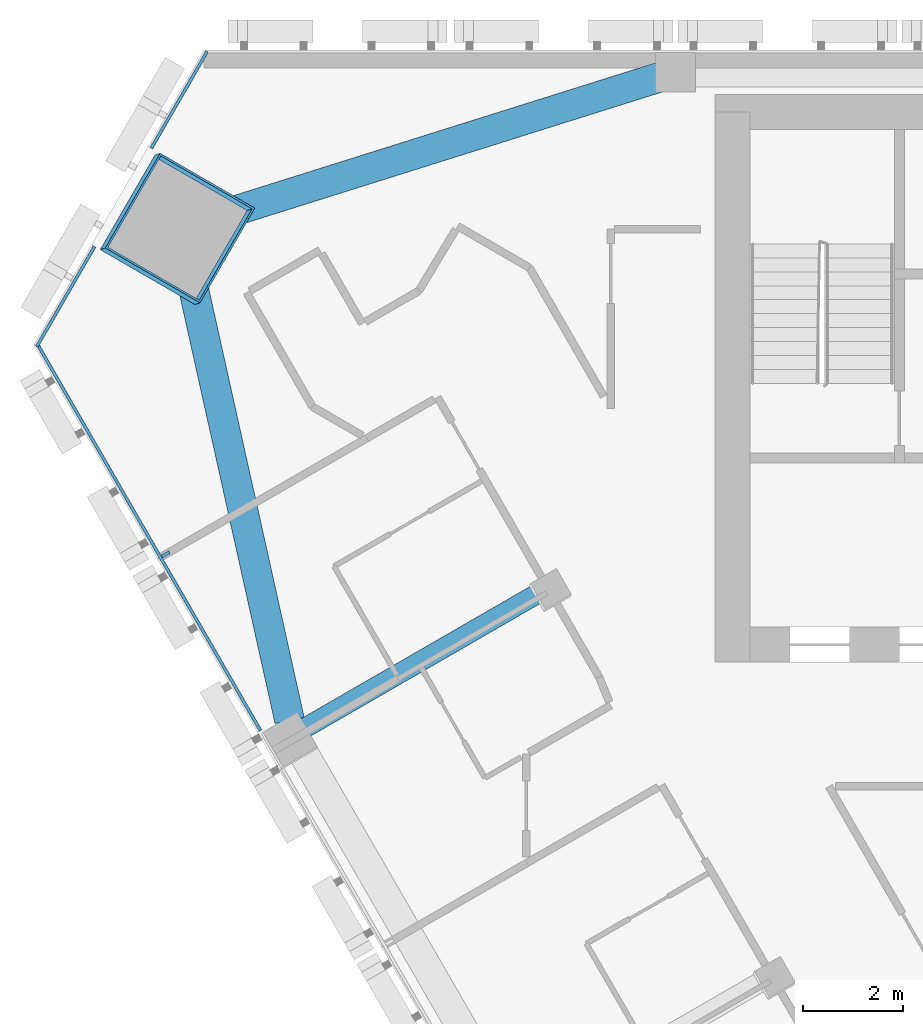
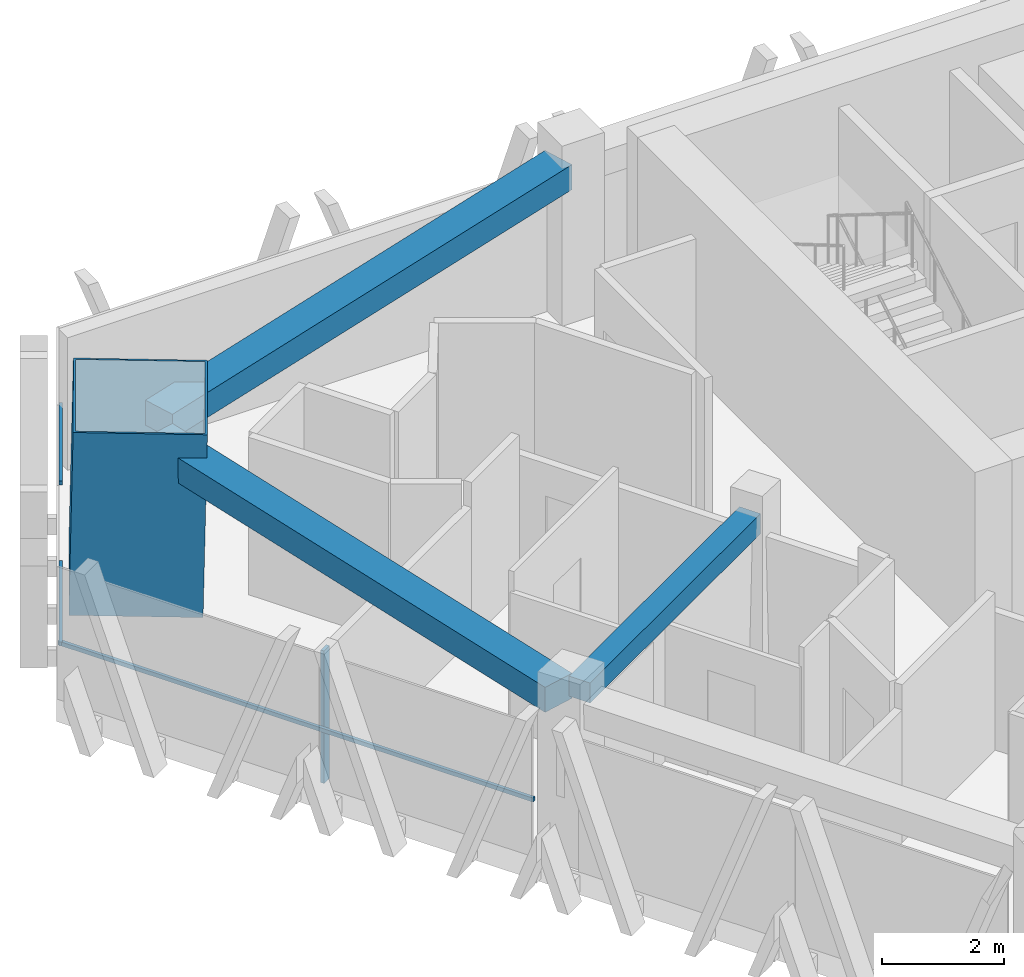
# One storey, part 5 of 16: 5 members, 3 beams, 2 elements without a shape of their own.
"""IFC4 building model written with IfcOpenShell, lengths in metres."""

from ifc_helpers import new_model, si_unit, direction, frame, origin, origin_2d, place, context, subcontext, project, spatial, rectangle, hollow_rectangle, extrude, material, layer, layer_set, material_profile, profile_set, type_object, element, aggregate, save


model = new_model("IFC4")

# Units and contexts
model_context = context("Model", 3, precision=1e-05, world=origin(), true_north=direction((0.0, 1.0)))
body_context = subcontext(model_context, "Body", "Model", "MODEL_VIEW")
ifc_project = project(units=[si_unit("LENGTHUNIT", "METRE"), si_unit("AREAUNIT", "SQUARE_METRE"), si_unit("VOLUMEUNIT", "CUBIC_METRE"), si_unit("PLANEANGLEUNIT", "RADIAN"), si_unit("MASSUNIT", "GRAM", prefix="KILO")], contexts=[model_context])

# Site, building, storey
site_placement = place(None, origin())
site = spatial("IfcSite", under=ifc_project, at=site_placement, CompositionType="ELEMENT")
building_placement = place(site_placement, origin())
building = spatial("IfcBuilding", under=site, at=building_placement, Name="Altiplano Prism Tower", CompositionType="ELEMENT")
storey_placement = place(building_placement, frame((0.0, 0.0, 174.60009765625)))
storey = spatial("IfcBuildingStorey", under=building, at=storey_placement, Name="L45", CompositionType="ELEMENT", Elevation=174.60009765625)

# Curtain wall, member
ifc_material_1 = material(Name="Aluminium and glass", Category="aluminium")
ifc_layer = layer(ifc_material_1, 0.280029296875)
ifc_layer_set = layer_set([ifc_layer], Name="Aluminium and glass")
curtain_wall_type = type_object("IfcCurtainWallType", Name="CW1 typical co-living unitised curtain wall", PredefinedType="NOTDEFINED", material=ifc_layer_set)
curtain_wall_1_placement = place(storey_placement, origin())
curtain_wall_1 = element("IfcCurtainWall", 1, at=curtain_wall_1_placement, inside=storey, type_object=curtain_wall_type, Name="CW1 curtain wall south-west face L45", PredefinedType="NOTDEFINED")
ifc_material_2 = material(Name="Aluminium", Category="aluminium")
ifc_material_profile_1 = material_profile(ifc_material_2, rectangle(XDim=0.179931640625, YDim=0.06494140625, at=origin_2d()), Name="CW1 mullion 65 x 180")
ifc_profile_set_1 = profile_set([ifc_material_profile_1], Name="Aluminium")
member_type_1 = type_object("IfcMemberType", Name="CW1 mullion 65 x 180", PredefinedType="MULLION", material=ifc_profile_set_1)
member_1_placement = place(storey_placement, frame((61.257568359375, 94.86376953125, 0.0), z_axis=(0.0, 0.0, 1.0), x_axis=(0.866025407144, 0.499999994181, 0.0)))
member_1 = element("IfcMember", 2, at=member_1_placement, type_object=member_type_1, Name="CW1 mullion", PredefinedType="MULLION", context=body_context, shape_type="SweptSolid", body=[
    extrude(rectangle(XDim=0.179931640625, YDim=0.06494140625, at=origin_2d()), origin(), (0.0, 0.0, 1.0), 2.64990234375),
])

# Curtain wall, members
curtain_wall_2_placement = place(storey_placement, origin())
curtain_wall_2 = element("IfcCurtainWall", 3, at=curtain_wall_2_placement, inside=storey, type_object=curtain_wall_type, Name="CW1 curtain wall north-west chamfer L45", PredefinedType="NOTDEFINED")
ifc_material_profile_2 = material_profile(ifc_material_2, rectangle(XDim=0.06005859375, YDim=0.080078125, at=origin_2d()), Name="CW1 transom 80 x 60")
ifc_profile_set_2 = profile_set([ifc_material_profile_2], Name="Aluminium")
member_type_2 = type_object("IfcMemberType", Name="CW1 transom 80 x 60", PredefinedType="USERDEFINED", material=ifc_profile_set_2)
member_2_placement = place(storey_placement, frame((62.0908203125, 104.965087890625, 1.099853515625), z_axis=(-0.499898401998, -0.866084053473, 0.0), x_axis=(0.866084053473, -0.499898401998, 0.0)))
member_2 = element("IfcMember", 4, at=member_2_placement, type_object=member_type_2, Name="CW1 transom", ObjectType="TRANSOM", PredefinedType="USERDEFINED", context=body_context, shape_type="SweptSolid", body=[
    extrude(rectangle(XDim=0.06005859375, YDim=0.080078125, at=origin_2d()), origin(), (0.0, 0.0, 1.0), 2.2421875),
])
member_3_placement = place(storey_placement, frame((59.829833984375, 101.048828125, 1.099853515625), z_axis=(-0.500028846479, -0.866008748622, 0.0), x_axis=(0.866008748622, -0.500028846479, 0.0)))
member_3 = element("IfcMember", 5, at=member_3_placement, type_object=member_type_2, Name="CW1 transom", ObjectType="TRANSOM", PredefinedType="USERDEFINED", context=body_context, shape_type="SweptSolid", body=[
    extrude(rectangle(XDim=0.06005859375, YDim=0.080078125, at=origin_2d()), origin(), (0.0, 0.0, 1.0), 2.322021484375),
])
aggregate(curtain_wall_2, [member_2, member_3])

# Member
member_4_placement = place(storey_placement, frame((58.668701171875, 99.107666015625, 1.099853515625), z_axis=(0.500006108488, -0.866021877019, 0.0), x_axis=(0.866021877019, 0.500006108488, 0.0)))
member_4 = element("IfcMember", 6, at=member_4_placement, type_object=member_type_2, Name="CW1 transom", ObjectType="TRANSOM", PredefinedType="USERDEFINED", context=body_context, shape_type="SweptSolid", body=[
    extrude(rectangle(XDim=0.06005859375, YDim=0.080078125, at=origin_2d()), origin(), (0.0, 0.0, 1.0), 8.990234375),
])

aggregate(curtain_wall_1, [member_1, member_4])

# Beams
ifc_material_3 = material(Name="Concrete C60/75", Category="concrete")
ifc_material_profile_3 = material_profile(ifc_material_3, rectangle(XDim=0.60009765625, YDim=0.5, at=origin_2d()), Name="Edge beam 600x500")
ifc_profile_set_3 = profile_set([ifc_material_profile_3], Name="Concrete C60/75")
beam_type_1 = type_object("IfcBeamType", Name="Edge beam 600x500", PredefinedType="SPANDREL", material=ifc_profile_set_3)
beam_1_placement = place(storey_placement, frame((71.21435546875, 104.460205078125, 2.89990234375), z_axis=(-0.953928382041, -0.300034401255, 0.0), x_axis=(0.300034401255, -0.953928382041, 0.0)))
element("IfcBeam", 7, at=beam_1_placement, inside=storey, type_object=beam_type_1, Name="Edge beam P04-M0 L46", PredefinedType="SPANDREL", context=body_context, shape_type="SweptSolid", body=[
    extrude(rectangle(XDim=0.60009765625, YDim=0.5, at=origin_2d()), origin(), (0.0, 0.0, 1.0), 9.683837890625),
])
beam_2_placement = place(storey_placement, frame((61.64501953125, 100.98046875, 2.89990234375), z_axis=(0.217135990797, -0.976141363482, 0.0), x_axis=(0.976141363482, 0.217135990797, 0.0)))
element("IfcBeam", 8, at=beam_2_placement, inside=storey, type_object=beam_type_1, Name="Edge beam M0-P11 L46", PredefinedType="SPANDREL", context=body_context, shape_type="SweptSolid", body=[
    extrude(rectangle(XDim=0.60009765625, YDim=0.5, at=origin_2d()), origin(), (0.0, 0.0, 1.0), 9.68408203125),
])

# Member
ifc_material_4 = material(Name="Steel S460", Category="steel")
ifc_material_profile_4 = material_profile(ifc_material_4, hollow_rectangle(XDim=2.199951171875, YDim=2.199951171875, WallThickness=0.0400390625, at=origin_2d()), Name="Mega column tube 2200")
ifc_profile_set_4 = profile_set([ifc_material_profile_4], Name="Steel S460")
member_type_3 = type_object("IfcMemberType", Name="Mega column tube 2200", PredefinedType="POST", material=ifc_profile_set_4)
member_5_placement = place(storey_placement, frame((61.445068359375, 101.386474609375, 0.0), z_axis=(0.028403739082, 0.009219352065, 0.999554016126), x_axis=(-0.865118529183, 0.501170118188, 0.019961039515)))
element("IfcMember", 9, at=member_5_placement, inside=storey, type_object=member_type_3, Name="Mega column tube M0 L45", PredefinedType="POST", context=body_context, shape_type="SweptSolid", body=[
    extrude(hollow_rectangle(XDim=2.199951171875, YDim=2.199951171875, WallThickness=0.0400390625, at=origin_2d()), origin(), (0.0, 0.0, 1.0), 3.6015625),
])

# Beam
ifc_material_profile_5 = material_profile(ifc_material_3, rectangle(XDim=0.39990234375, YDim=0.39990234375, at=origin_2d()), Name="Tie beam 400x400")
ifc_profile_set_5 = profile_set([ifc_material_profile_5], Name="Concrete C60/75")
beam_type_2 = type_object("IfcBeamType", Name="Tie beam 400x400", PredefinedType="BEAM", material=ifc_profile_set_5)
beam_3_placement = place(storey_placement, frame((68.896240234375, 94.170166015625, 2.949951171875), z_axis=(-0.866030670444, -0.499990877767, 0.0), x_axis=(0.499990877767, -0.866030670444, 0.0)))
element("IfcBeam", 10, at=beam_3_placement, inside=storey, type_object=beam_type_2, Name="Tie beam I11 L46", PredefinedType="BEAM", context=body_context, shape_type="SweptSolid", body=[
    extrude(rectangle(XDim=0.39990234375, YDim=0.39990234375, at=origin_2d()), origin(), (0.0, 0.0, 1.0), 5.58984375),
])

save(model, "model.ifc")
